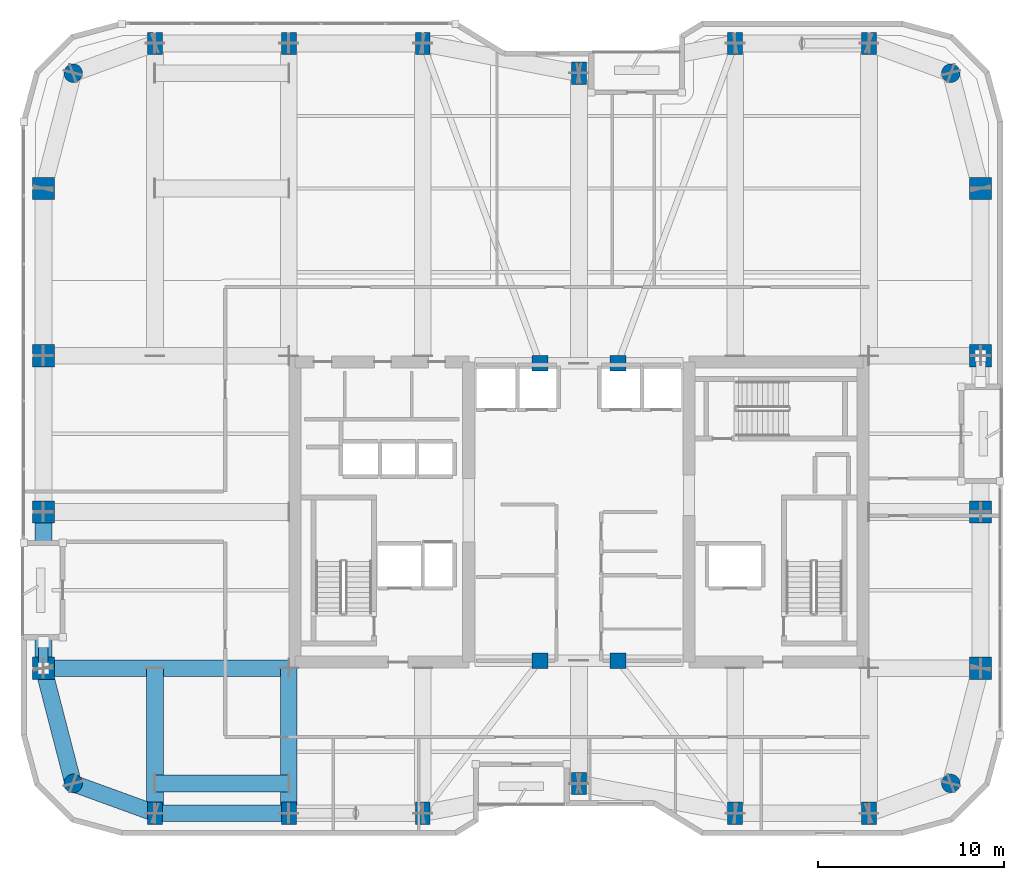
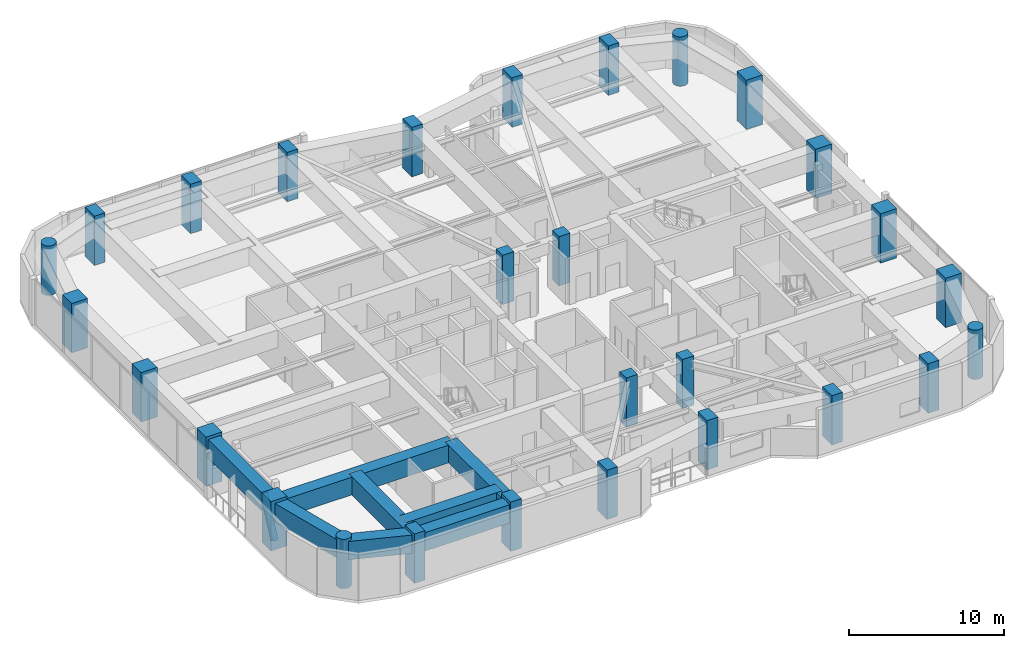
# One storey, part 1 of 30: 28 columns, 8 beams, 1 member.
"""IFC4 building model written with IfcOpenShell, lengths in metres."""

from ifc_helpers import new_model, si_unit, direction, frame, origin, origin_2d, place, context, subcontext, project, spatial, rectangle, hollow_rectangle, circle, hollow_circle, extrude, material, material_profile, profile_set, type_object, element, save


model = new_model("IFC4")

# Units and contexts
model_context = context("Model", 3, precision=1e-05, world=origin(), true_north=direction((0.0, 1.0)))
body_context = subcontext(model_context, "Body", "Model", "MODEL_VIEW")
ifc_project = project(units=[si_unit("LENGTHUNIT", "METRE"), si_unit("AREAUNIT", "SQUARE_METRE"), si_unit("VOLUMEUNIT", "CUBIC_METRE"), si_unit("PLANEANGLEUNIT", "RADIAN"), si_unit("MASSUNIT", "GRAM", prefix="KILO")], contexts=[model_context])

# Site, building, storey
site_placement = place(None, origin())
site = spatial("IfcSite", under=ifc_project, at=site_placement, CompositionType="ELEMENT")
building_placement = place(site_placement, origin())
building = spatial("IfcBuilding", under=site, at=building_placement, Name="Kiyonajd Concourse Tower", CompositionType="ELEMENT")
storey_placement = place(building_placement, frame((0.0, 0.0, 205.800048828125)))
storey = spatial("IfcBuildingStorey", under=building, at=storey_placement, Name="L52", CompositionType="ELEMENT", Elevation=205.800048828125)

# Columns
ifc_material_1 = material(Name="Concrete C70/85", Category="concrete")
ifc_material_profile_1 = material_profile(ifc_material_1, rectangle(XDim=0.800048828125, YDim=1.199951171875, at=origin_2d()), Name="RC-1200x800")
ifc_profile_set_1 = profile_set([ifc_material_profile_1], Name="Concrete C70/85")
column_type_1 = type_object("IfcColumnType", Name="CL-BLADE-1200", PredefinedType="COLUMN", material=ifc_profile_set_1)
for number, where, z_axis, x_axis, name in (
    (1, (25.199951171875, 19.800048828125, 0.0), (0.0, 0.0, 1.0), (1.0, 0.0, 0.0), "L52 Perimeter Bundled Tube Column"),
    (2, (25.199951171875, 61.199951171875, 0.0), (0.0, 0.0, 1.0), (1.0, 0.0, 0.0), "L52 Perimeter Bundled Tube Column"),
    (3, (32.39990234375, 19.800048828125, 0.0), (0.0, 0.0, 1.0), (1.0, 0.0, 0.0), "L52 Perimeter Bundled Tube Column"),
    (4, (32.39990234375, 61.199951171875, 0.0), (0.0, 0.0, 1.0), (1.0, 0.0, 0.0), "L52 Perimeter Bundled Tube Column"),
    (5, (39.60009765625, 19.800048828125, 0.0), (0.0, 0.0, 1.0), (1.0, 0.0, 0.0), "L52 Perimeter Bundled Tube Column"),
    (6, (39.60009765625, 61.199951171875, 0.0), (0.0, 0.0, 1.0), (1.0, 0.0, 0.0), "L52 Perimeter Bundled Tube Column"),
    (7, (48.0, 21.39990234375, 0.0), (0.0, 0.0, 1.0), (1.0, 0.0, 0.0), "L52 Perimeter Bundled Tube Column"),
    (8, (48.0, 59.60009765625, 0.0), (0.0, 0.0, 1.0), (1.0, 0.0, 0.0), "L52 Perimeter Bundled Tube Column"),
    (9, (56.39990234375, 19.800048828125, 0.0), (0.0, 0.0, 1.0), (1.0, 0.0, 0.0), "L52 Perimeter Bundled Tube Column"),
    (10, (56.39990234375, 61.199951171875, 0.0), (0.0, 0.0, 1.0), (1.0, 0.0, 0.0), "L52 Perimeter Bundled Tube Column"),
    (11, (63.60009765625, 19.800048828125, 0.0), (0.0, 0.0, 1.0), (1.0, 0.0, 0.0), "L52 Perimeter Bundled Tube Column"),
    (12, (63.60009765625, 61.199951171875, 0.0), (0.0, 0.0, 1.0), (1.0, 0.0, 0.0), "L52 Perimeter Bundled Tube Column"),
):
    element("IfcColumn", number, at=place(storey_placement, frame(where, z_axis=z_axis, x_axis=x_axis)), inside=storey, type_object=column_type_1, Name=name, PredefinedType="COLUMN", context=body_context, shape_type="SweptSolid", body=[
        extrude(rectangle(XDim=0.800048828125, YDim=1.199951171875, at=origin_2d()), origin(), (0.0, 0.0, 1.0), 3.89990234375),
    ])
ifc_material_2 = material(Name="Concrete C60/75", Category="concrete")
ifc_material_profile_2 = material_profile(ifc_material_2, circle(Radius=0.5, at=origin_2d()), Name="RCC-D1000")
ifc_profile_set_2 = profile_set([ifc_material_profile_2], Name="Concrete C60/75")
column_type_2 = type_object("IfcColumnType", Name="CL-RND-1000", PredefinedType="COLUMN", material=ifc_profile_set_2)
for number, where, z_axis, x_axis, name in (
    (13, (20.800048828125, 21.39990234375, 0.0), (0.0, 0.0, 1.0), (1.0, 0.0, 0.0), "L52 Bundled Tube Corner Column South West"),
    (14, (68.0, 21.39990234375, 0.0), (0.0, 0.0, 1.0), (1.0, 0.0, 0.0), "L52 Bundled Tube Corner Column South East"),
    (15, (68.0, 59.60009765625, 0.0), (0.0, 0.0, 1.0), (1.0, 0.0, 0.0), "L52 Bundled Tube Corner Column North East"),
    (16, (20.800048828125, 59.60009765625, 0.0), (0.0, 0.0, 1.0), (1.0, 0.0, 0.0), "L52 Bundled Tube Corner Column North West"),
):
    element("IfcColumn", number, at=place(storey_placement, frame(where, z_axis=z_axis, x_axis=x_axis)), inside=storey, type_object=column_type_2, Name=name, PredefinedType="COLUMN", context=body_context, shape_type="SweptSolid", body=[
        extrude(circle(Radius=0.5, at=origin_2d()), origin(), (0.0, 0.0, 1.0), 3.89990234375),
    ])
ifc_material_profile_3 = material_profile(ifc_material_1, rectangle(XDim=1.199951171875, YDim=1.199951171875, at=origin_2d()), Name="RC-1200x1200")
ifc_profile_set_3 = profile_set([ifc_material_profile_3], Name="Concrete C70/85")
column_type_3 = type_object("IfcColumnType", Name="CL-TUBE-1200", PredefinedType="COLUMN", material=ifc_profile_set_3)
for number, where, z_axis, x_axis, name in (
    (17, (19.199951171875, 27.60009765625, 0.0), (0.0, 0.0, 1.0), (1.0, 0.0, 0.0), "L52 Perimeter Bundled Tube Column"),
    (18, (69.60009765625, 27.60009765625, 0.0), (0.0, 0.0, 1.0), (1.0, 0.0, 0.0), "L52 Perimeter Bundled Tube Column"),
    (19, (19.199951171875, 36.0, 0.0), (0.0, 0.0, 1.0), (1.0, 0.0, 0.0), "L52 Perimeter Bundled Tube Column"),
    (20, (69.60009765625, 36.0, 0.0), (0.0, 0.0, 1.0), (1.0, 0.0, 0.0), "L52 Perimeter Bundled Tube Column"),
    (21, (19.199951171875, 44.39990234375, 0.0), (0.0, 0.0, 1.0), (1.0, 0.0, 0.0), "L52 Perimeter Bundled Tube Column"),
    (22, (69.60009765625, 44.39990234375, 0.0), (0.0, 0.0, 1.0), (1.0, 0.0, 0.0), "L52 Perimeter Bundled Tube Column"),
    (23, (19.199951171875, 53.39990234375, 0.0), (0.0, 0.0, 1.0), (1.0, 0.0, 0.0), "L52 Perimeter Bundled Tube Column"),
    (24, (69.60009765625, 53.39990234375, 0.0), (0.0, 0.0, 1.0), (1.0, 0.0, 0.0), "L52 Perimeter Bundled Tube Column"),
):
    element("IfcColumn", number, at=place(storey_placement, frame(where, z_axis=z_axis, x_axis=x_axis)), inside=storey, type_object=column_type_3, Name=name, PredefinedType="COLUMN", context=body_context, shape_type="SweptSolid", body=[
        extrude(rectangle(XDim=1.199951171875, YDim=1.199951171875, at=origin_2d()), origin(), (0.0, 0.0, 1.0), 3.89990234375),
    ])
ifc_material_profile_4 = material_profile(ifc_material_2, rectangle(XDim=0.85009765625, YDim=0.85009765625, at=origin_2d()), Name="RC-850x850")
ifc_profile_set_4 = profile_set([ifc_material_profile_4], Name="Concrete C60/75")
column_type_4 = type_object("IfcColumnType", Name="CL-TUBE-850", PredefinedType="COLUMN", material=ifc_profile_set_4)
for number, where, z_axis, x_axis, name in (
    (25, (45.89990234375, 28.0, 0.0), (0.0, 0.0, 1.0), (1.0, 0.0, 0.0), "L52 Core Tie Column South West"),
    (26, (50.10009765625, 28.0, 0.0), (0.0, 0.0, 1.0), (1.0, 0.0, 0.0), "L52 Core Tie Column South East"),
    (27, (45.89990234375, 44.0, 0.0), (0.0, 0.0, 1.0), (1.0, 0.0, 0.0), "L52 Core Tie Column North West"),
    (28, (50.10009765625, 44.0, 0.0), (0.0, 0.0, 1.0), (1.0, 0.0, 0.0), "L52 Core Tie Column North East"),
):
    element("IfcColumn", number, at=place(storey_placement, frame(where, z_axis=z_axis, x_axis=x_axis)), inside=storey, type_object=column_type_4, Name=name, PredefinedType="COLUMN", context=body_context, shape_type="SweptSolid", body=[
        extrude(rectangle(XDim=0.85009765625, YDim=0.85009765625, at=origin_2d()), origin(), (0.0, 0.0, 1.0), 3.89990234375),
    ])

# Beams
ifc_material_3 = material(Name="Steel ASTM A572 Grade 50", Category="steel")
ifc_material_profile_5 = material_profile(ifc_material_3, hollow_rectangle(XDim=0.89990234375, YDim=1.39990234375, WallThickness=0.070068359375, at=origin_2d()), Name="BOX-1400x900x70")
ifc_profile_set_5 = profile_set([ifc_material_profile_5], Name="Steel ASTM A572 Grade 50")
beam_type_1 = type_object("IfcBeamType", Name="BM-XFER-1400", PredefinedType="BEAM", material=ifc_profile_set_5)
beam_1_placement = place(storey_placement, frame((32.39990234375, 19.800048828125, 2.89990234375), z_axis=(0.0, 1.0, 0.0), x_axis=(-1.0, 0.0, 0.0)))
element("IfcBeam", 29, at=beam_1_placement, inside=storey, type_object=beam_type_1, Name="L52 South Lease Girder", PredefinedType="BEAM", context=body_context, shape_type="SweptSolid", body=[
    extrude(hollow_rectangle(XDim=0.89990234375, YDim=1.39990234375, WallThickness=0.070068359375, at=origin_2d()), origin(), (0.0, 0.0, 1.0), 7.800048828125),
])
beam_2_placement = place(storey_placement, frame((19.199951171875, 27.60009765625, 2.89990234375), z_axis=(1.0, 0.0, 0.0), x_axis=(0.0, 1.0, 0.0)))
element("IfcBeam", 30, at=beam_2_placement, inside=storey, type_object=beam_type_1, Name="L52 West Lease Girder", PredefinedType="BEAM", context=body_context, shape_type="SweptSolid", body=[
    extrude(hollow_rectangle(XDim=0.89990234375, YDim=1.39990234375, WallThickness=0.070068359375, at=origin_2d()), origin(), (0.0, 0.0, 1.0), 13.199951171875),
])
ifc_material_profile_6 = material_profile(ifc_material_3, hollow_rectangle(XDim=0.89990234375, YDim=1.449951171875, WallThickness=0.074951171875, at=origin_2d()), Name="BOX-1450x900x75")
ifc_profile_set_6 = profile_set([ifc_material_profile_6], Name="Steel ASTM A572 Grade 50")
beam_type_2 = type_object("IfcBeamType", Name="BM-XFER-1800", PredefinedType="BEAM", material=ifc_profile_set_6)
beam_3_placement = place(storey_placement, frame((19.199951171875, 27.60009765625, 2.93505859375), z_axis=(0.249884937687, -0.968275538221, 0.0), x_axis=(0.968275538221, 0.249884937687, 0.0)))
element("IfcBeam", 31, at=beam_3_placement, inside=storey, type_object=beam_type_2, Name="L52 Perimeter Bundled Tube Spandrel", PredefinedType="BEAM", context=body_context, shape_type="SweptSolid", body=[
    extrude(hollow_rectangle(XDim=0.89990234375, YDim=1.449951171875, WallThickness=0.074951171875, at=origin_2d()), origin(), (0.0, 0.0, 1.0), 6.4033203125),
])
beam_4_placement = place(storey_placement, frame((20.800048828125, 21.39990234375, 2.93505859375), z_axis=(0.939801036019, -0.341722127901, 0.0), x_axis=(0.341722127901, 0.939801036019, 0.0)))
element("IfcBeam", 32, at=beam_4_placement, inside=storey, type_object=beam_type_2, Name="L52 Perimeter Bundled Tube Spandrel", PredefinedType="BEAM", context=body_context, shape_type="SweptSolid", body=[
    extrude(hollow_rectangle(XDim=0.89990234375, YDim=1.449951171875, WallThickness=0.074951171875, at=origin_2d()), origin(), (0.0, 0.0, 1.0), 4.681640625),
])
beam_5_placement = place(storey_placement, frame((25.199951171875, 19.800048828125, 2.875), z_axis=(1.0, 0.0, 0.0), x_axis=(0.0, 1.0, 0.0)))
element("IfcBeam", 33, at=beam_5_placement, inside=storey, type_object=beam_type_2, Name="L52 Perimeter Bundled Tube Spandrel", PredefinedType="BEAM", context=body_context, shape_type="SweptSolid", body=[
    extrude(hollow_rectangle(XDim=0.89990234375, YDim=1.449951171875, WallThickness=0.074951171875, at=origin_2d()), origin(), (0.0, 0.0, 1.0), 7.199951171875),
])
beam_6_placement = place(storey_placement, frame((19.199951171875, 36.0, 2.93505859375), z_axis=(0.0, -1.0, 0.0), x_axis=(1.0, 0.0, 0.0)))
element("IfcBeam", 34, at=beam_6_placement, inside=storey, type_object=beam_type_2, Name="L52 Perimeter Bundled Tube Spandrel", PredefinedType="BEAM", context=body_context, shape_type="SweptSolid", body=[
    extrude(hollow_rectangle(XDim=0.89990234375, YDim=1.449951171875, WallThickness=0.074951171875, at=origin_2d()), origin(), (0.0, 0.0, 1.0), 8.39990234375),
])
beam_7_placement = place(storey_placement, frame((25.199951171875, 19.800048828125, 2.875), z_axis=(0.0, 1.0, 0.0), x_axis=(-1.0, 0.0, 0.0)))
element("IfcBeam", 35, at=beam_7_placement, inside=storey, type_object=beam_type_2, Name="L52 South Lease Girder", PredefinedType="BEAM", context=body_context, shape_type="SweptSolid", body=[
    extrude(hollow_rectangle(XDim=0.89990234375, YDim=1.449951171875, WallThickness=0.074951171875, at=origin_2d()), origin(), (0.0, 0.0, 1.0), 7.800048828125),
])
beam_8_placement = place(storey_placement, frame((25.199951171875, 21.39990234375, 2.875), z_axis=(1.0, 0.0, 0.0), x_axis=(0.0, 1.0, 0.0)))
element("IfcBeam", 36, at=beam_8_placement, inside=storey, type_object=beam_type_2, Name="L52 Column Transfer Girder", PredefinedType="BEAM", context=body_context, shape_type="SweptSolid", body=[
    extrude(hollow_rectangle(XDim=0.89990234375, YDim=1.449951171875, WallThickness=0.074951171875, at=origin_2d()), origin(), (0.0, 0.0, 1.0), 7.199951171875),
])

# Member
ifc_material_4 = material(Name="Steel ASTM A500 Grade C", Category="steel")
ifc_material_profile_7 = material_profile(ifc_material_4, hollow_circle(Radius=0.25390625, WallThickness=0.02197265625, at=origin_2d()), Name="CHS-508x22")
ifc_profile_set_7 = profile_set([ifc_material_profile_7], Name="Steel ASTM A500 Grade C")
member_type = type_object("IfcMemberType", Name="MB-PB-MID", PredefinedType="BRACE", material=ifc_profile_set_7)
member_placement = place(storey_placement, frame((19.199951171875, 27.60009765625, 0.300048828125), z_axis=(0.0, 0.428725834465, 0.903434645595), x_axis=(-1.0, 0.0, 0.0)))
element("IfcMember", 37, at=member_placement, inside=storey, type_object=member_type, Name="L52 Upper Zone Hollow Tube Brace PBW", PredefinedType="BRACE", context=body_context, shape_type="SweptSolid", body=[
    extrude(hollow_circle(Radius=0.25390625, WallThickness=0.02197265625, at=origin_2d()), origin(), (0.0, 0.0, 1.0), 3.265380859375),
])

save(model, "model.ifc")
